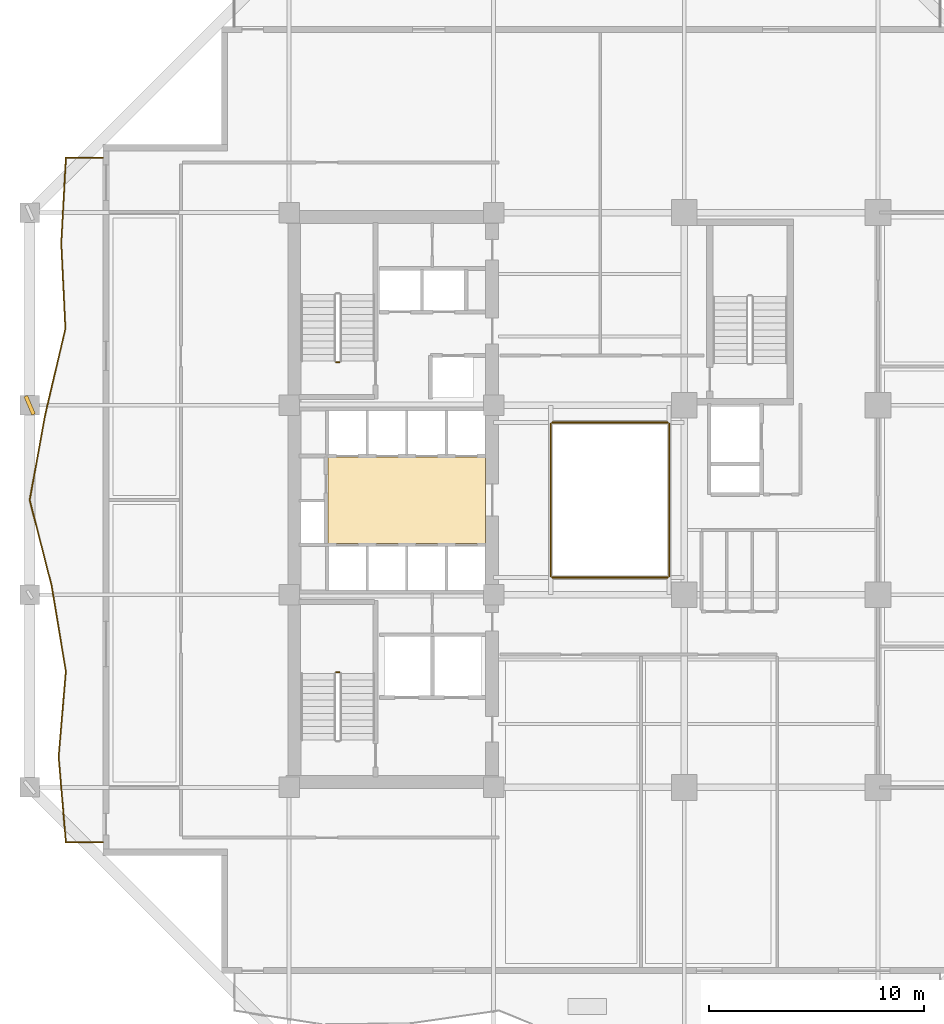
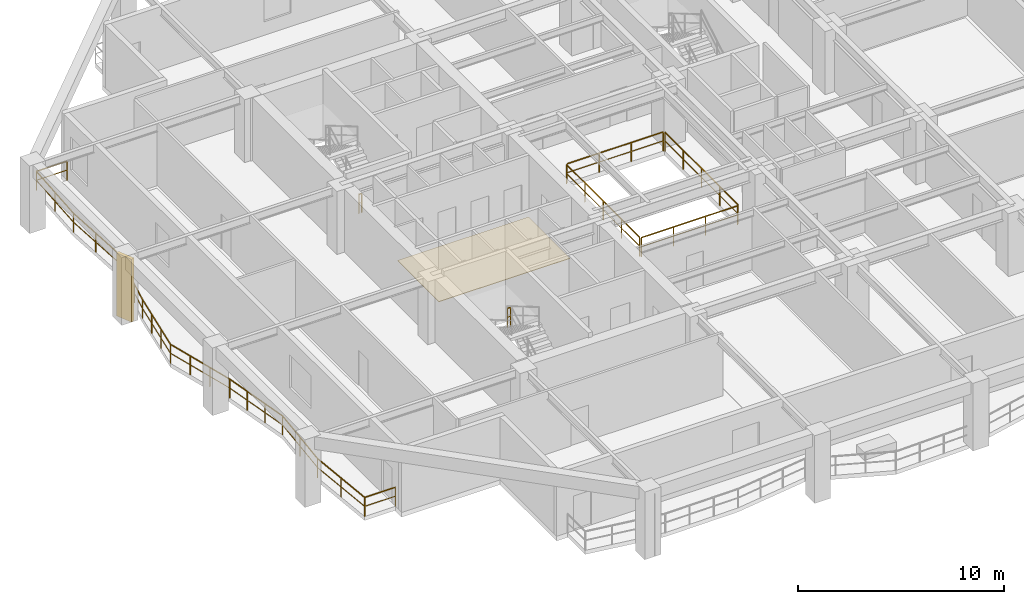
# One storey, part 8 of 12: 7 railings, 1 covering, 1 shading device.
"""IFC4 building model written with IfcOpenShell, lengths in metres."""

from ifc_helpers import new_model, si_unit, direction, frame, origin, origin_2d, place, context, subcontext, project, spatial, polyline, rectangle, outline, extrude, material, layer, layer_set, type_object, element, save


model = new_model("IFC4")

# Units and contexts
model_context = context("Model", 3, precision=1e-05, world=origin(), true_north=direction((0.0, 1.0)))
body_context = subcontext(model_context, "Body", "Model", "MODEL_VIEW")
ifc_project = project(units=[si_unit("LENGTHUNIT", "METRE"), si_unit("AREAUNIT", "SQUARE_METRE"), si_unit("VOLUMEUNIT", "CUBIC_METRE"), si_unit("PLANEANGLEUNIT", "RADIAN"), si_unit("MASSUNIT", "GRAM", prefix="KILO")], contexts=[model_context])

# Site, building, storey
site_placement = place(None, origin())
site = spatial("IfcSite", under=ifc_project, at=site_placement, CompositionType="ELEMENT")
building_placement = place(site_placement, origin())
building = spatial("IfcBuilding", under=site, at=building_placement, Name="Kundavana Baori Tower", CompositionType="ELEMENT")
storey_placement = place(building_placement, frame((0.0, 0.0, 46.0)))
storey = spatial("IfcBuildingStorey", under=building, at=storey_placement, Name="L10", CompositionType="ELEMENT", Elevation=46.0)

# Covering
ifc_material_1 = material(Name="Honed Kota Stone and Terrazzo Flooring", Category="masonry")
ifc_layer = layer(ifc_material_1, 0.030029296875, Name="COV-INT-FLR")
ifc_layer_set = layer_set([ifc_layer], Name="Honed Kota Stone and Terrazzo Flooring")
covering_type = type_object("IfcCoveringType", Name="COV-INT-FLR", PredefinedType="FLOORING", material=ifc_layer_set)
covering_placement = place(storey_placement, origin())
element("IfcCovering", 1, at=covering_placement, inside=storey, type_object=covering_type, Name="L10 Core Lift Lobby Kota Stone Flooring", PredefinedType="FLOORING", context=body_context, shape_type="SweptSolid", body=[
    extrude(outline(polyline([(17.25, 26.580078125), (24.580078125, 26.580078125), (24.580078125, 30.60009765625), (17.25, 30.60009765625), (17.25, 26.580078125)])), origin(), (0.0, 0.0, 1.0), 0.030029296875),
])

# Railings
ifc_material_2 = material(Name="Architectural Patinated Bronze Metalwork")
railing_type_1 = type_object("IfcRailingType", Name="RL-BAL-1150", PredefinedType="BALUSTRADE", material=ifc_material_2)
railing_1_placement = place(storey_placement, frame((6.800048828125, 12.699951171875, 0.0)))
element("IfcRailing", 2, at=railing_1_placement, inside=storey, type_object=railing_type_1, Name="L10 Loggia Balcony Balustrade W", PredefinedType="BALUSTRADE", context=body_context, shape_type="SweptSolid", body=[
    extrude(rectangle(XDim=0.048095703125, YDim=0.048095703125, at=origin_2d()), frame((0.0, 0.0, 1.1259765625), z_axis=(-1.0, 0.0, 0.0), x_axis=(0.0, -1.0, 0.0)), (0.0, 0.0, 1.0), 1.719970703125),
    extrude(rectangle(XDim=0.03125, YDim=0.03125, at=origin_2d()), frame((0.0, 0.0, 0.597900390625), z_axis=(-1.0, 0.0, 0.0), x_axis=(0.0, -1.0, 0.0)), (0.0, 0.0, 1.0), 1.719970703125),
    extrude(rectangle(XDim=0.048095703125, YDim=0.048095703125, at=origin_2d()), frame((-1.719970703125, 0.0, 1.1259765625), z_axis=(-0.084514136417, 0.996422280334, 0.0), x_axis=(-0.996422280334, -0.084514136417, 0.0)), (0.0, 0.0, 1.0), 3.9892578125),
    extrude(rectangle(XDim=0.03125, YDim=0.03125, at=origin_2d()), frame((-1.719970703125, 0.0, 0.597900390625), z_axis=(-0.084514136417, 0.996422280334, 0.0), x_axis=(-0.996422280334, -0.084514136417, 0.0)), (0.0, 0.0, 1.0), 3.9892578125),
    extrude(rectangle(XDim=0.048095703125, YDim=0.048095703125, at=origin_2d()), frame((-2.05712890625, 3.97509765625, 1.1259765625), z_axis=(0.083729274706, 0.9964885391, 0.0), x_axis=(-0.9964885391, 0.083729274706, 0.0)), (0.0, 0.0, 1.0), 3.98876953125),
    extrude(rectangle(XDim=0.03125, YDim=0.03125, at=origin_2d()), frame((-2.05712890625, 3.97509765625, 0.597900390625), z_axis=(0.083729274706, 0.9964885391, 0.0), x_axis=(-0.9964885391, 0.083729274706, 0.0)), (0.0, 0.0, 1.0), 3.98876953125),
    extrude(rectangle(XDim=0.048095703125, YDim=0.048095703125, at=origin_2d()), frame((-1.72314453125, 7.949951171875, 1.1259765625), z_axis=(-0.164241795666, 0.986420109566, 0.0), x_axis=(-0.986420109566, -0.164241795666, 0.0)), (0.0, 0.0, 1.0), 4.02978515625),
    extrude(rectangle(XDim=0.03125, YDim=0.03125, at=origin_2d()), frame((-1.72314453125, 7.949951171875, 0.597900390625), z_axis=(-0.164241795666, 0.986420109566, 0.0), x_axis=(-0.986420109566, -0.164241795666, 0.0)), (0.0, 0.0, 1.0), 4.02978515625),
    extrude(rectangle(XDim=0.048095703125, YDim=0.048095703125, at=origin_2d()), frame((-2.385009765625, 11.925048828125, 1.1259765625), z_axis=(-0.247433167705, 0.9689049631, 0.0), x_axis=(-0.9689049631, -0.247433167705, 0.0)), (0.0, 0.0, 1.0), 4.102783203125),
    extrude(rectangle(XDim=0.03125, YDim=0.03125, at=origin_2d()), frame((-2.385009765625, 11.925048828125, 0.597900390625), z_axis=(-0.247433167705, 0.9689049631, 0.0), x_axis=(-0.9689049631, -0.247433167705, 0.0)), (0.0, 0.0, 1.0), 4.102783203125),
    extrude(rectangle(XDim=0.048095703125, YDim=0.048095703125, at=origin_2d()), frame((-3.400146484375, 15.900146484375, 1.1259765625), z_axis=(0.178289736384, 0.983978033241, 0.0), x_axis=(-0.983978033241, 0.178289736384, 0.0)), (0.0, 0.0, 1.0), 4.03955078125),
    extrude(rectangle(XDim=0.03125, YDim=0.03125, at=origin_2d()), frame((-3.400146484375, 15.900146484375, 0.597900390625), z_axis=(0.178289736384, 0.983978033241, 0.0), x_axis=(-0.983978033241, 0.178289736384, 0.0)), (0.0, 0.0, 1.0), 4.03955078125),
    extrude(rectangle(XDim=0.048095703125, YDim=0.048095703125, at=origin_2d()), frame((-2.679931640625, 19.875, 1.1259765625), z_axis=(0.229149294289, 0.973391288705, 0.0), x_axis=(-0.973391288705, 0.229149294289, 0.0)), (0.0, 0.0, 1.0), 4.083740234375),
    extrude(rectangle(XDim=0.03125, YDim=0.03125, at=origin_2d()), frame((-2.679931640625, 19.875, 0.597900390625), z_axis=(0.229149294289, 0.973391288705, 0.0), x_axis=(-0.973391288705, 0.229149294289, 0.0)), (0.0, 0.0, 1.0), 4.083740234375),
    extrude(rectangle(XDim=0.048095703125, YDim=0.048095703125, at=origin_2d()), frame((-1.744140625, 23.85009765625, 1.1259765625), z_axis=(-0.048220971694, 0.998836692302, 0.0), x_axis=(-0.998836692302, -0.048220971694, 0.0)), (0.0, 0.0, 1.0), 3.9794921875),
    extrude(rectangle(XDim=0.03125, YDim=0.03125, at=origin_2d()), frame((-1.744140625, 23.85009765625, 0.597900390625), z_axis=(-0.048220971694, 0.998836692302, 0.0), x_axis=(-0.998836692302, -0.048220971694, 0.0)), (0.0, 0.0, 1.0), 3.9794921875),
    extrude(rectangle(XDim=0.048095703125, YDim=0.048095703125, at=origin_2d()), frame((-1.93603515625, 27.824951171875, 1.1259765625), z_axis=(0.054274386588, 0.99852605923, 0.0), x_axis=(-0.99852605923, 0.054274386588, 0.0)), (0.0, 0.0, 1.0), 3.98095703125),
    extrude(rectangle(XDim=0.03125, YDim=0.03125, at=origin_2d()), frame((-1.93603515625, 27.824951171875, 0.597900390625), z_axis=(0.054274386588, 0.99852605923, 0.0), x_axis=(-0.99852605923, 0.054274386588, 0.0)), (0.0, 0.0, 1.0), 3.98095703125),
    extrude(rectangle(XDim=0.048095703125, YDim=0.048095703125, at=origin_2d()), frame((-1.719970703125, 31.800048828125, 1.1259765625), z_axis=(1.0, 0.0, 0.0), x_axis=(0.0, 1.0, 0.0)), (0.0, 0.0, 1.0), 1.719970703125),
    extrude(rectangle(XDim=0.03125, YDim=0.03125, at=origin_2d()), frame((-1.719970703125, 31.800048828125, 0.597900390625), z_axis=(1.0, 0.0, 0.0), x_axis=(0.0, 1.0, 0.0)), (0.0, 0.0, 1.0), 1.719970703125),
    extrude(rectangle(XDim=0.0419921875, YDim=0.0419921875, at=origin_2d()), origin(), (0.0, 0.0, 1.0), 1.101806640625),
    extrude(rectangle(XDim=0.0419921875, YDim=0.0419921875, at=origin_2d()), frame((-1.719970703125, 0.0, 0.0)), (0.0, 0.0, 1.0), 1.101806640625),
    extrude(rectangle(XDim=0.0419921875, YDim=0.0419921875, at=origin_2d()), frame((-1.888671875, 1.987548828125, 0.0)), (0.0, 0.0, 1.0), 1.101806640625),
    extrude(rectangle(XDim=0.0419921875, YDim=0.0419921875, at=origin_2d()), frame((-2.05712890625, 3.97509765625, 0.0)), (0.0, 0.0, 1.0), 1.101806640625),
    extrude(rectangle(XDim=0.0419921875, YDim=0.0419921875, at=origin_2d()), frame((-1.89013671875, 5.96240234375, 0.0)), (0.0, 0.0, 1.0), 1.101806640625),
    extrude(rectangle(XDim=0.0419921875, YDim=0.0419921875, at=origin_2d()), frame((-1.72314453125, 7.949951171875, 0.0)), (0.0, 0.0, 1.0), 1.101806640625),
    extrude(rectangle(XDim=0.0419921875, YDim=0.0419921875, at=origin_2d()), frame((-1.94384765625, 9.27490234375, 0.0)), (0.0, 0.0, 1.0), 1.101806640625),
    extrude(rectangle(XDim=0.0419921875, YDim=0.0419921875, at=origin_2d()), frame((-2.164306640625, 10.60009765625, 0.0)), (0.0, 0.0, 1.0), 1.101806640625),
    extrude(rectangle(XDim=0.0419921875, YDim=0.0419921875, at=origin_2d()), frame((-2.385009765625, 11.925048828125, 0.0)), (0.0, 0.0, 1.0), 1.101806640625),
    extrude(rectangle(XDim=0.0419921875, YDim=0.0419921875, at=origin_2d()), frame((-2.723388671875, 13.25, 0.0)), (0.0, 0.0, 1.0), 1.101806640625),
    extrude(rectangle(XDim=0.0419921875, YDim=0.0419921875, at=origin_2d()), frame((-3.061767578125, 14.5751953125, 0.0)), (0.0, 0.0, 1.0), 1.101806640625),
    extrude(rectangle(XDim=0.0419921875, YDim=0.0419921875, at=origin_2d()), frame((-3.400146484375, 15.900146484375, 0.0)), (0.0, 0.0, 1.0), 1.101806640625),
    extrude(rectangle(XDim=0.0419921875, YDim=0.0419921875, at=origin_2d()), frame((-3.16015625, 17.22509765625, 0.0)), (0.0, 0.0, 1.0), 1.101806640625),
    extrude(rectangle(XDim=0.0419921875, YDim=0.0419921875, at=origin_2d()), frame((-2.919921875, 18.550048828125, 0.0)), (0.0, 0.0, 1.0), 1.101806640625),
    extrude(rectangle(XDim=0.0419921875, YDim=0.0419921875, at=origin_2d()), frame((-2.679931640625, 19.875, 0.0)), (0.0, 0.0, 1.0), 1.101806640625),
    extrude(rectangle(XDim=0.0419921875, YDim=0.0419921875, at=origin_2d()), frame((-2.367919921875, 21.199951171875, 0.0)), (0.0, 0.0, 1.0), 1.101806640625),
    extrude(rectangle(XDim=0.0419921875, YDim=0.0419921875, at=origin_2d()), frame((-2.05615234375, 22.525146484375, 0.0)), (0.0, 0.0, 1.0), 1.101806640625),
    extrude(rectangle(XDim=0.0419921875, YDim=0.0419921875, at=origin_2d()), frame((-1.744140625, 23.85009765625, 0.0)), (0.0, 0.0, 1.0), 1.101806640625),
    extrude(rectangle(XDim=0.0419921875, YDim=0.0419921875, at=origin_2d()), frame((-1.840087890625, 25.83740234375, 0.0)), (0.0, 0.0, 1.0), 1.101806640625),
    extrude(rectangle(XDim=0.0419921875, YDim=0.0419921875, at=origin_2d()), frame((-1.93603515625, 27.824951171875, 0.0)), (0.0, 0.0, 1.0), 1.101806640625),
    extrude(rectangle(XDim=0.0419921875, YDim=0.0419921875, at=origin_2d()), frame((-1.828125, 29.8125, 0.0)), (0.0, 0.0, 1.0), 1.101806640625),
    extrude(rectangle(XDim=0.0419921875, YDim=0.0419921875, at=origin_2d()), frame((-1.719970703125, 31.800048828125, 0.0)), (0.0, 0.0, 1.0), 1.101806640625),
    extrude(rectangle(XDim=0.0419921875, YDim=0.0419921875, at=origin_2d()), frame((0.0, 31.800048828125, 0.0)), (0.0, 0.0, 1.0), 1.101806640625),
])
ifc_material_3 = material(Name="Architectural Patinated Bronze Metalwork")
railing_type_2 = type_object("IfcRailingType", Name="RL-GRD-1150", PredefinedType="GUARDRAIL", material=ifc_material_3)
for number, where, name in (
    (3, (17.7900390625, 20.60009765625, 2.0), "L10 ST1 stair guard 2"),
    (4, (17.7900390625, 35.0, 0.0), "L10 ST2 stair guard 4"),
):
    element("IfcRailing", number, at=place(storey_placement, frame(where)), inside=storey, type_object=railing_type_2, Name=name, PredefinedType="GUARDRAIL", context=body_context, shape_type="SweptSolid", body=[
        extrude(rectangle(XDim=0.048095703125, YDim=0.048095703125, at=origin_2d()), frame((0.0, 0.0, 1.1259765625), z_axis=(-1.0, 0.0, 0.0), x_axis=(0.0, -1.0, 0.0)), (0.0, 0.0, 1.0), 0.16015625),
        extrude(rectangle(XDim=0.03125, YDim=0.03125, at=origin_2d()), frame((0.0, 0.0, 0.597900390625), z_axis=(-1.0, 0.0, 0.0), x_axis=(0.0, -1.0, 0.0)), (0.0, 0.0, 1.0), 0.16015625),
        extrude(rectangle(XDim=0.0419921875, YDim=0.0419921875, at=origin_2d()), origin(), (0.0, 0.0, 1.0), 1.101806640625),
        extrude(rectangle(XDim=0.0419921875, YDim=0.0419921875, at=origin_2d()), frame((-0.16015625, 0.0, 0.0)), (0.0, 0.0, 1.0), 1.101806640625),
    ])
railing_2_placement = place(storey_placement, frame((27.659912109375, 25.0, 0.0)))
element("IfcRailing", 5, at=railing_2_placement, inside=storey, type_object=railing_type_2, Name="L10 Atrium Void Perimeter Guardrail S", PredefinedType="GUARDRAIL", context=body_context, shape_type="SweptSolid", body=[
    extrude(rectangle(XDim=0.048095703125, YDim=0.048095703125, at=origin_2d()), frame((0.0, 0.0, 1.1259765625), z_axis=(1.0, 0.0, 0.0), x_axis=(0.0, 1.0, 0.0)), (0.0, 0.0, 1.0), 5.380126953125),
    extrude(rectangle(XDim=0.03125, YDim=0.03125, at=origin_2d()), frame((0.0, 0.0, 0.597900390625), z_axis=(1.0, 0.0, 0.0), x_axis=(0.0, 1.0, 0.0)), (0.0, 0.0, 1.0), 5.380126953125),
    extrude(rectangle(XDim=0.0419921875, YDim=0.0419921875, at=origin_2d()), origin(), (0.0, 0.0, 1.0), 1.101806640625),
    extrude(rectangle(XDim=0.0419921875, YDim=0.0419921875, at=origin_2d()), frame((1.79345703125, 0.0, 0.0)), (0.0, 0.0, 1.0), 1.101806640625),
    extrude(rectangle(XDim=0.0419921875, YDim=0.0419921875, at=origin_2d()), frame((3.586669921875, 0.0, 0.0)), (0.0, 0.0, 1.0), 1.101806640625),
    extrude(rectangle(XDim=0.0419921875, YDim=0.0419921875, at=origin_2d()), frame((5.380126953125, 0.0, 0.0)), (0.0, 0.0, 1.0), 1.101806640625),
])
railing_3_placement = place(storey_placement, frame((33.10009765625, 25.06005859375, 0.0)))
element("IfcRailing", 6, at=railing_3_placement, inside=storey, type_object=railing_type_2, Name="L10 Atrium Void Perimeter Guardrail E", PredefinedType="GUARDRAIL", context=body_context, shape_type="SweptSolid", body=[
    extrude(rectangle(XDim=0.048095703125, YDim=0.048095703125, at=origin_2d()), frame((0.0, 0.0, 1.1259765625), z_axis=(0.0, 1.0, 0.0), x_axis=(-1.0, 0.0, 0.0)), (0.0, 0.0, 1.0), 7.079833984375),
    extrude(rectangle(XDim=0.03125, YDim=0.03125, at=origin_2d()), frame((0.0, 0.0, 0.597900390625), z_axis=(0.0, 1.0, 0.0), x_axis=(-1.0, 0.0, 0.0)), (0.0, 0.0, 1.0), 7.079833984375),
    extrude(rectangle(XDim=0.0419921875, YDim=0.0419921875, at=origin_2d()), origin(), (0.0, 0.0, 1.0), 1.101806640625),
    extrude(rectangle(XDim=0.0419921875, YDim=0.0419921875, at=origin_2d()), frame((0.0, 1.77001953125, 0.0)), (0.0, 0.0, 1.0), 1.101806640625),
    extrude(rectangle(XDim=0.0419921875, YDim=0.0419921875, at=origin_2d()), frame((0.0, 3.5400390625, 0.0)), (0.0, 0.0, 1.0), 1.101806640625),
    extrude(rectangle(XDim=0.0419921875, YDim=0.0419921875, at=origin_2d()), frame((0.0, 5.309814453125, 0.0)), (0.0, 0.0, 1.0), 1.101806640625),
    extrude(rectangle(XDim=0.0419921875, YDim=0.0419921875, at=origin_2d()), frame((0.0, 7.079833984375, 0.0)), (0.0, 0.0, 1.0), 1.101806640625),
])
railing_4_placement = place(storey_placement, frame((33.0400390625, 32.199951171875, 0.0)))
element("IfcRailing", 7, at=railing_4_placement, inside=storey, type_object=railing_type_2, Name="L10 Atrium Void Perimeter Guardrail N", PredefinedType="GUARDRAIL", context=body_context, shape_type="SweptSolid", body=[
    extrude(rectangle(XDim=0.048095703125, YDim=0.048095703125, at=origin_2d()), frame((0.0, 0.0, 1.1259765625), z_axis=(-1.0, 0.0, 0.0), x_axis=(0.0, -1.0, 0.0)), (0.0, 0.0, 1.0), 5.380126953125),
    extrude(rectangle(XDim=0.03125, YDim=0.03125, at=origin_2d()), frame((0.0, 0.0, 0.597900390625), z_axis=(-1.0, 0.0, 0.0), x_axis=(0.0, -1.0, 0.0)), (0.0, 0.0, 1.0), 5.380126953125),
    extrude(rectangle(XDim=0.0419921875, YDim=0.0419921875, at=origin_2d()), origin(), (0.0, 0.0, 1.0), 1.101806640625),
    extrude(rectangle(XDim=0.0419921875, YDim=0.0419921875, at=origin_2d()), frame((-1.79345703125, 0.0, 0.0)), (0.0, 0.0, 1.0), 1.101806640625),
    extrude(rectangle(XDim=0.0419921875, YDim=0.0419921875, at=origin_2d()), frame((-3.586669921875, 0.0, 0.0)), (0.0, 0.0, 1.0), 1.101806640625),
    extrude(rectangle(XDim=0.0419921875, YDim=0.0419921875, at=origin_2d()), frame((-5.380126953125, 0.0, 0.0)), (0.0, 0.0, 1.0), 1.101806640625),
])
railing_5_placement = place(storey_placement, frame((27.60009765625, 32.139892578125, 0.0)))
element("IfcRailing", 8, at=railing_5_placement, inside=storey, type_object=railing_type_2, Name="L10 Atrium Void Perimeter Guardrail W", PredefinedType="GUARDRAIL", context=body_context, shape_type="SweptSolid", body=[
    extrude(rectangle(XDim=0.048095703125, YDim=0.048095703125, at=origin_2d()), frame((0.0, 0.0, 1.1259765625), z_axis=(0.0, -1.0, 0.0), x_axis=(1.0, 0.0, 0.0)), (0.0, 0.0, 1.0), 7.079833984375),
    extrude(rectangle(XDim=0.03125, YDim=0.03125, at=origin_2d()), frame((0.0, 0.0, 0.597900390625), z_axis=(0.0, -1.0, 0.0), x_axis=(1.0, 0.0, 0.0)), (0.0, 0.0, 1.0), 7.079833984375),
    extrude(rectangle(XDim=0.0419921875, YDim=0.0419921875, at=origin_2d()), origin(), (0.0, 0.0, 1.0), 1.101806640625),
    extrude(rectangle(XDim=0.0419921875, YDim=0.0419921875, at=origin_2d()), frame((0.0, -1.77001953125, 0.0)), (0.0, 0.0, 1.0), 1.101806640625),
    extrude(rectangle(XDim=0.0419921875, YDim=0.0419921875, at=origin_2d()), frame((0.0, -3.5400390625, 0.0)), (0.0, 0.0, 1.0), 1.101806640625),
    extrude(rectangle(XDim=0.0419921875, YDim=0.0419921875, at=origin_2d()), frame((0.0, -5.309814453125, 0.0)), (0.0, 0.0, 1.0), 1.101806640625),
    extrude(rectangle(XDim=0.0419921875, YDim=0.0419921875, at=origin_2d()), frame((0.0, -7.079833984375, 0.0)), (0.0, 0.0, 1.0), 1.101806640625),
])

# Shading device
ifc_material_4 = material(Name="Red-Buff Dholpur Sandstone Cladding on Concrete C40/50", Category="masonry")
shading_device_type = type_object("IfcShadingDeviceType", Name="SHD-FIN-920", PredefinedType="JALOUSIE", material=ifc_material_4)
shading_device_placement = place(storey_placement, frame((3.39990234375, 33.0, 0.0), z_axis=(0.0, 0.0, 1.0), x_axis=(0.919135339255, 0.393941909591, 0.0)))
element("IfcShadingDevice", 9, at=shading_device_placement, inside=storey, type_object=shading_device_type, Name="L10 Sweeping Dholpur Sandstone Facade Fin 7", PredefinedType="JALOUSIE", context=body_context, shape_type="SweptSolid", body=[
    extrude(rectangle(XDim=0.179931640625, YDim=0.919921875, at=origin_2d()), origin(), (0.0, 0.0, 1.0), 3.719970703125),
])

save(model, "model.ifc")
